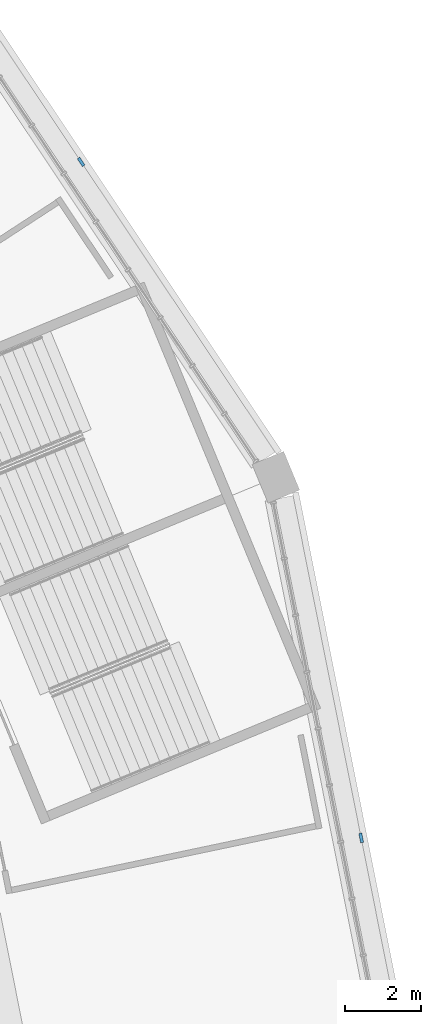
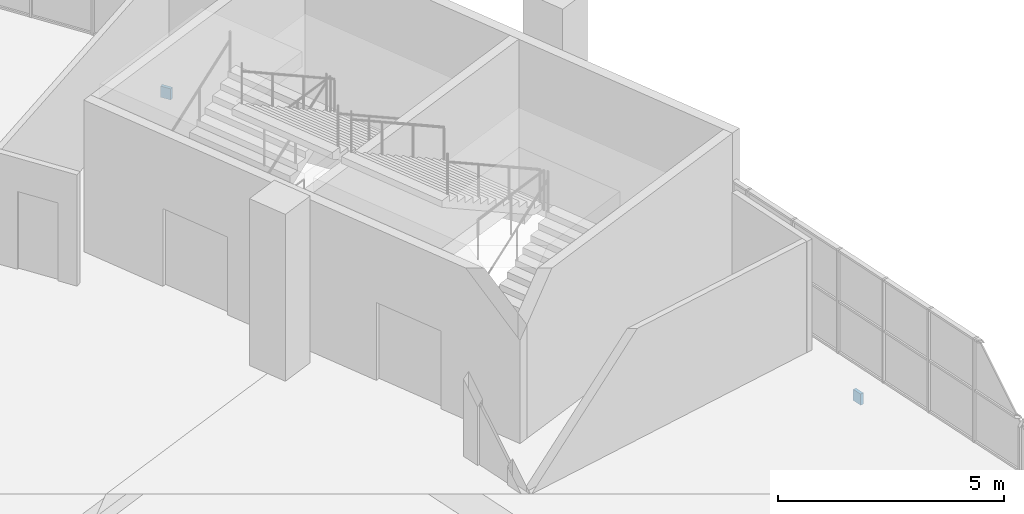
# One storey, part 104 of 199: 2 discrete accessories.
"""IFC4 building model written with IfcOpenShell, lengths in metres."""

from ifc_helpers import new_model, si_unit, direction, frame, origin, origin_2d, place, context, subcontext, project, spatial, rectangle, extrude, material, layer, layer_set, type_object, element, save


model = new_model("IFC4")

# Units and contexts
model_context = context("Model", 3, precision=1e-05, world=origin(), true_north=direction((0.0, 1.0)))
body_context = subcontext(model_context, "Body", "Model", "MODEL_VIEW")
ifc_project = project(units=[si_unit("LENGTHUNIT", "METRE"), si_unit("AREAUNIT", "SQUARE_METRE"), si_unit("VOLUMEUNIT", "CUBIC_METRE"), si_unit("PLANEANGLEUNIT", "RADIAN"), si_unit("MASSUNIT", "GRAM", prefix="KILO")], contexts=[model_context])

# Site, building, storey
site_placement = place(None, origin())
site = spatial("IfcSite", under=ifc_project, at=site_placement, CompositionType="ELEMENT")
building_placement = place(site_placement, origin())
building = spatial("IfcBuilding", under=site, at=building_placement, Name="Ogive Plaza Stadium", CompositionType="ELEMENT")
storey_placement = place(building_placement, frame((0.0, 0.0, 4.5)))
storey = spatial("IfcBuildingStorey", under=building, at=storey_placement, Name="L01", CompositionType="ELEMENT", Elevation=4.5)

# Discrete accessories
ifc_material = material(Name="Steel ASTM A572 Grade 50", Category="steel")
ifc_layer = layer(ifc_material, 0.080078125)
ifc_layer_set = layer_set([ifc_layer], Name="Steel ASTM A572 Grade 50")
discrete_accessory_type = type_object("IfcDiscreteAccessoryType", Name="Spandrel cladding bracket 250x300", PredefinedType="BRACKET", material=ifc_layer_set)
for number, where, z_axis, x_axis, name in (
    (1, (75.065673828125, 79.939208984375, -1.60986328125), (0.0, 0.0, 1.0), (0.555570233005, -0.831469612312, 0.0), "SPANDREL BRACKET B39 L01"),
    (2, (82.440185546875, 62.135498046875, -1.60986328125), (0.0, 0.0, 1.0), (0.195090321965, -0.980785280413, 0.0), "SPANDREL BRACKET B40 L01"),
):
    element("IfcDiscreteAccessory", number, at=place(storey_placement, frame(where, z_axis=z_axis, x_axis=x_axis)), inside=storey, type_object=discrete_accessory_type, Name=name, PredefinedType="BRACKET", context=body_context, shape_type="SweptSolid", body=[
        extrude(rectangle(XDim=0.25, YDim=0.080078125, at=origin_2d()), origin(), (0.0, 0.0, 1.0), 0.300048828125),
    ])

save(model, "model.ifc")
